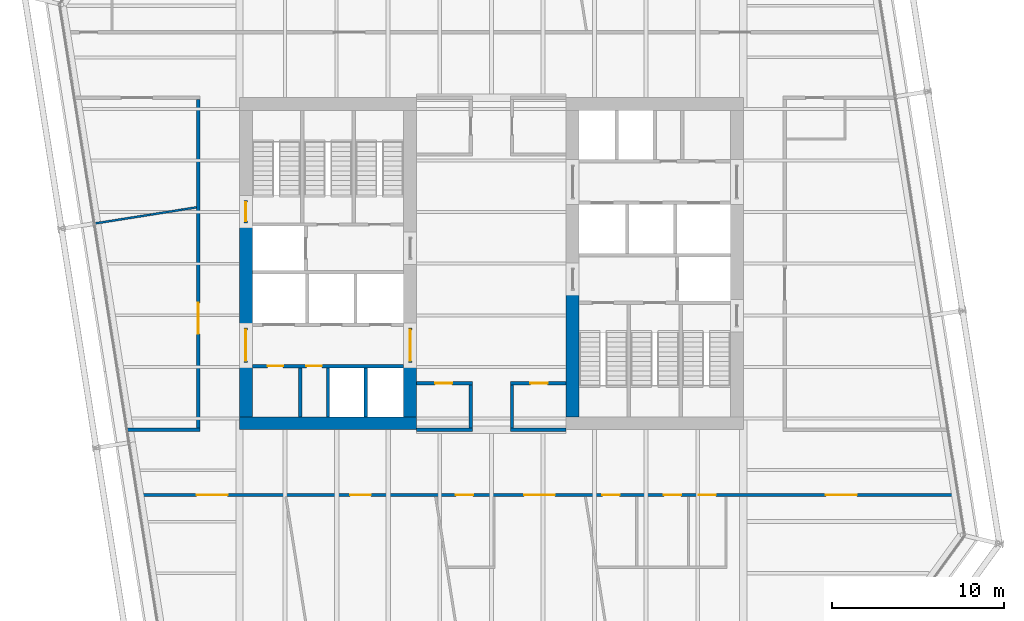
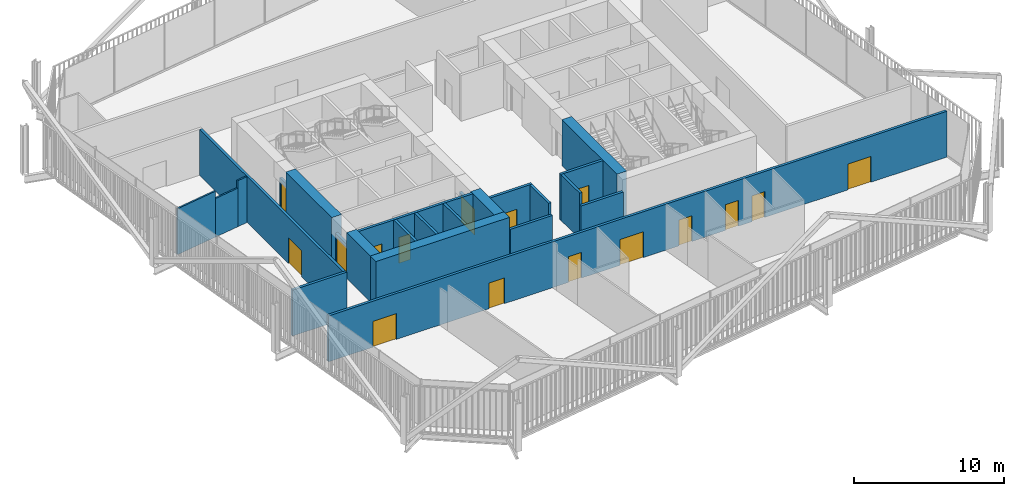
# One storey, part 18 of 22: 24 walls, 16 doors, 16 openings.
"""IFC4 building model written with IfcOpenShell, lengths in metres."""

import ifcopenshell
import ifcopenshell.guid

model = None  # the IFC model being written
_history = None  # IfcOwnerHistory: only IFC2X3 demands one
_inside = {}  # id of a spatial element -> (the spatial element, [elements in it])
_under = {}  # id of a project, library or spatial element -> (it, [spatial elements below it])
_declared = {}  # id of a project -> (the project, [libraries it declares])
_typed = {}  # id of a type object -> (the type object, [elements of that type])
_made_of = {}  # id of a material, layer set ... -> (it, [elements and type objects made of it])


def new_model(schema):
    """Start an empty IFC model of exactly this schema.

    Asked for "IFC4X3", IfcOpenShell would pick the latest addendum, in which some entities
    have other attributes; the version numbers below select the first issue.
    IFC2X3 requires an IfcOwnerHistory on every rooted entity: one is made here for all.
    """
    global model, _history
    if schema == "IFC4X3":
        model = ifcopenshell.file(schema_version=(4, 3, 0, 0))
    else:
        model = ifcopenshell.file(schema=schema)
    _inside.clear()
    _under.clear()
    _declared.clear()
    _typed.clear()
    _made_of.clear()
    _history = None
    if model.schema == "IFC2X3":
        org = make("IfcOrganization", Name="unknown")
        user = make(
            "IfcPersonAndOrganization",
            ThePerson=make("IfcPerson", FamilyName="unknown"),
            TheOrganization=org,
        )
        app = make(
            "IfcApplication",
            ApplicationDeveloper=org,
            Version="unknown",
            ApplicationFullName="unknown",
            ApplicationIdentifier="unknown",
        )
        _history = make(
            "IfcOwnerHistory",
            OwningUser=user,
            OwningApplication=app,
            ChangeAction="ADDED",
            CreationDate=0,
        )
    return model


def make(cls, **values):
    """One entity of the class cls with the attributes given. An attribute that is None is left unset."""
    return model.create_entity(
        cls, **{name: value for name, value in values.items() if value is not None}
    )


def rooted(cls, **values):
    """An entity with a GlobalId (a new one), such as an element, a storey or a relation."""
    return make(cls, GlobalId=ifcopenshell.guid.new(), OwnerHistory=_history, **values)


def si_unit(unit_type, name, prefix=None):
    """IfcSIUnit, for example si_unit("LENGTHUNIT", "METRE", prefix="MILLI")."""
    return make("IfcSIUnit", UnitType=unit_type, Prefix=prefix, Name=name)


def assignment(units):
    """IfcUnitAssignment: the units of a project."""
    return None if units is None else make("IfcUnitAssignment", Units=units)


def point(xyz):
    """IfcCartesianPoint."""
    return None if xyz is None else make("IfcCartesianPoint", Coordinates=xyz)


def direction(xyz):
    """IfcDirection."""
    return None if xyz is None else make("IfcDirection", DirectionRatios=xyz)


def frame(location, z_axis=None, x_axis=None):
    """IfcAxis2Placement3D, a coordinate frame: its origin and axes. An axis left out is left unset."""
    return make(
        "IfcAxis2Placement3D",
        Location=point(location),
        Axis=direction(z_axis),
        RefDirection=direction(x_axis),
    )


def frame_2d(location, x_axis=None):
    """IfcAxis2Placement2D, a coordinate frame in the plane: its origin and x axis."""
    return make(
        "IfcAxis2Placement2D", Location=point(location), RefDirection=direction(x_axis)
    )


def origin():
    """The frame at (0, 0, 0) with its axes left unset."""
    return frame((0.0, 0.0, 0.0))


def place(relative_to, where):
    """IfcLocalPlacement: puts the frame where relative to a parent placement (None: the world)."""
    return make(
        "IfcLocalPlacement", PlacementRelTo=relative_to, RelativePlacement=where
    )


def context(
    kind, dimensions, precision=None, world=None, true_north=None, identifier=None
):
    """IfcGeometricRepresentationContext, for example the 3D "Model" context."""
    return make(
        "IfcGeometricRepresentationContext",
        ContextIdentifier=identifier,
        ContextType=kind,
        CoordinateSpaceDimension=dimensions,
        Precision=precision,
        WorldCoordinateSystem=world,
        TrueNorth=true_north,
    )


def subcontext(parent, identifier, kind, view, scale=None):
    """IfcGeometricRepresentationSubContext, for example "Body" below "Model"."""
    return make(
        "IfcGeometricRepresentationSubContext",
        ContextIdentifier=identifier,
        ContextType=kind,
        ParentContext=parent,
        TargetScale=scale,
        TargetView=view,
    )


def project(units=None, contexts=None):
    """IfcProject with its units and contexts."""
    return rooted(
        "IfcProject",
        Name="project",
        RepresentationContexts=contexts,
        UnitsInContext=assignment(units),
    )


def spatial(cls, under=None, at=None, **own):
    """A site, building, storey or space (cls), placed at a placement, below another one or the project."""
    s = rooted(cls, ObjectPlacement=at, **own)
    if under is not None:
        _under.setdefault(under.id(), (under, []))[1].append(s)
    return s


def profile(cls, at=None, kind="AREA", **sizes):
    """A parametric profile (cls). Its sizes go by their IFC names, for example OverallWidth=200.0."""
    return make(cls, ProfileType=kind, Position=at, **sizes)


def rectangle(**sizes):
    """IfcRectangleProfileDef."""
    return profile("IfcRectangleProfileDef", **sizes)


def extrude(swept, where, along, depth):
    """IfcExtrudedAreaSolid: the profile swept, set in the frame where, extruded along a direction by depth."""
    return make(
        "IfcExtrudedAreaSolid",
        SweptArea=swept,
        Position=where,
        ExtrudedDirection=direction(along),
        Depth=depth,
    )


def shape(context_of_items, identifier, shape_type, items):
    """IfcShapeRepresentation: the items that make up one representation, for example the "Body"."""
    return make(
        "IfcShapeRepresentation",
        ContextOfItems=context_of_items,
        RepresentationIdentifier=identifier,
        RepresentationType=shape_type,
        Items=items,
    )


def material(Name=None, Category=None):
    """IfcMaterial."""
    return make("IfcMaterial", Name=Name, Category=Category)


def layer(
    of_material, thickness, ventilated=None, Name=None, Category=None, Priority=None
):
    """IfcMaterialLayer: one layer of a wall or slab, of a material (None: an air gap)."""
    return make(
        "IfcMaterialLayer",
        Material=of_material,
        LayerThickness=thickness,
        IsVentilated=ventilated,
        Name=Name,
        Category=Category,
        Priority=Priority,
    )


def layer_set(layers, Name=None):
    """IfcMaterialLayerSet."""
    return make("IfcMaterialLayerSet", MaterialLayers=layers, LayerSetName=Name)


def made_of(thing, what):
    """Note that an element or type object is made of a material, layer set ...; save() writes the relation."""
    if what is not None:
        _made_of.setdefault(what.id(), (what, []))[1].append(thing)
    return thing


def type_object(cls, material=None, **own):
    """A type object (cls), such as IfcWallType, which elements share."""
    return made_of(rooted(cls, **own), material)


def element(
    cls,
    number,
    at=None,
    inside=None,
    cuts=None,
    type_object=None,
    material=None,
    context=None,
    identifier="Body",
    shape_type=None,
    held_by="IfcProductDefinitionShape",
    body=None,
    shapes=None,
    **own,
):
    """One element of the class cls, such as IfcWall. Its Tag is "e" and its number.

    at: its placement. inside: the storey or other place that contains it. cuts: it is an
    opening in that element (IfcRelVoidsElement). A single representation is given by context,
    identifier, shape_type and body (its items); several are given by shapes. held_by: the class
    of the entity that holds the representations. save() writes the other relations.
    """
    e = rooted(cls, Tag="e%d" % number, ObjectPlacement=at, **own)
    if body is not None:
        shapes = [shape(context, identifier, shape_type, body)]
    if shapes is not None:
        e.Representation = make(held_by, Representations=shapes)
    if inside is not None:
        _inside.setdefault(inside.id(), (inside, []))[1].append(e)
    if cuts is not None:
        rooted(
            "IfcRelVoidsElement", RelatingBuildingElement=cuts, RelatedOpeningElement=e
        )
    if type_object is not None:
        _typed.setdefault(type_object.id(), (type_object, []))[1].append(e)
    return made_of(e, material)


def fill(opening, filler):
    """IfcRelFillsElement: the door or window that sits in an opening."""
    return rooted(
        "IfcRelFillsElement",
        RelatingOpeningElement=opening,
        RelatedBuildingElement=filler,
    )


def aggregate(whole, parts):
    """IfcRelAggregates: a whole, such as a stair, and the parts it consists of."""
    return rooted("IfcRelAggregates", RelatingObject=whole, RelatedObjects=parts)


def save(model, path):
    """Write the relations noted so far, then the file.

    IfcRelAggregates (storeys below a building ...), IfcRelContainedInSpatialStructure (elements
    in a storey), IfcRelDefinesByType, IfcRelAssociatesMaterial and IfcRelDeclares: one each for
    every whole, place, type object, material and project.
    """
    for whole, parts in _under.values():
        aggregate(whole, parts)
    for where, things in _inside.values():
        rooted(
            "IfcRelContainedInSpatialStructure",
            RelatedElements=things,
            RelatingStructure=where,
        )
    for kind, things in _typed.values():
        rooted("IfcRelDefinesByType", RelatedObjects=things, RelatingType=kind)
    for what, things in _made_of.values():
        rooted("IfcRelAssociatesMaterial", RelatedObjects=things, RelatingMaterial=what)
    for by, libraries in _declared.values():
        rooted("IfcRelDeclares", RelatingContext=by, RelatedDefinitions=libraries)
    model.write(path)


model = new_model("IFC4")

# Units and contexts
model_context = context("Model", 3, precision=1e-05, world=origin(), true_north=direction((0.0, 1.0)))
body_context = subcontext(model_context, "Body", "Model", "MODEL_VIEW")
ifc_project = project(units=[si_unit("LENGTHUNIT", "METRE"), si_unit("AREAUNIT", "SQUARE_METRE"), si_unit("VOLUMEUNIT", "CUBIC_METRE"), si_unit("PLANEANGLEUNIT", "RADIAN"), si_unit("MASSUNIT", "GRAM", prefix="KILO")], contexts=[model_context])

# Site, building, storey
site_placement = place(None, origin())
site = spatial("IfcSite", under=ifc_project, at=site_placement, CompositionType="ELEMENT")
building_placement = place(site_placement, origin())
building = spatial("IfcBuilding", under=site, at=building_placement, Name="Millrace Tower", CompositionType="ELEMENT")
storey_placement = place(building_placement, frame((0.0, 0.0, 145.10009765625)))
storey = spatial("IfcBuildingStorey", under=building, at=storey_placement, Name="L32", CompositionType="ELEMENT", Elevation=145.10009765625)

# Walls
ifc_material_1 = material(Name="Concrete C70", Category="concrete")
ifc_layer_1 = layer(ifc_material_1, 0.75)
ifc_layer_set_1 = layer_set([ifc_layer_1], Name="Concrete C70")
wall_type_1 = type_object("IfcWallType", Name="Core wall 750 Concrete C70", PredefinedType="SHEAR", material=ifc_layer_set_1)
wall_1_placement = place(storey_placement, frame((-14.64990234375, -9.27490234375, 0.0), z_axis=(0.0, 0.0, 1.0), x_axis=(1.0, 0.0, 0.0)))
element("IfcWall", 1, at=wall_1_placement, inside=storey, type_object=wall_type_1, Name="Core wall W L32", PredefinedType="SHEAR", context=body_context, shape_type="SweptSolid", body=[
    extrude(rectangle(XDim=10.2998046875, YDim=0.75, at=frame_2d((5.14990234375, 0.0))), origin(), (0.0, 0.0, 1.0), 3.739990234375),
])
wall_2_placement = place(storey_placement, frame((-14.27490234375, -8.89990234375, 0.0), z_axis=(0.0, 0.0, 1.0), x_axis=(0.0, 1.0, 0.0)))
element("IfcWall", 2, at=wall_2_placement, inside=storey, type_object=wall_type_1, Name="Core wall W L32", PredefinedType="SHEAR", context=body_context, shape_type="SweptSolid", body=[
    extrude(rectangle(XDim=3.14990234375, YDim=0.75, at=frame_2d((1.574951171875, 0.0))), origin(), (0.0, 0.0, 1.0), 3.739990234375),
])
wall_3_placement = place(storey_placement, frame((-14.27490234375, -3.75, 0.0), z_axis=(0.0, 0.0, 1.0), x_axis=(0.0, 1.0, 0.0)))
element("IfcWall", 3, at=wall_3_placement, inside=storey, type_object=wall_type_1, Name="Core wall W L32", PredefinedType="SHEAR", context=body_context, shape_type="SweptSolid", body=[
    extrude(rectangle(XDim=6.1298828125, YDim=0.75, at=frame_2d((3.06494140625, 0.0))), origin(), (0.0, 0.0, 1.0), 3.739990234375),
])
wall_4_placement = place(storey_placement, frame((-4.72509765625, -8.89990234375, 0.0), z_axis=(0.0, 0.0, 1.0), x_axis=(0.0, 1.0, 0.0)))
element("IfcWall", 4, at=wall_4_placement, inside=storey, type_object=wall_type_1, Name="Core wall W L32", PredefinedType="SHEAR", context=body_context, shape_type="SweptSolid", body=[
    extrude(rectangle(XDim=3.14990234375, YDim=0.75, at=frame_2d((1.574951171875, 0.0))), origin(), (0.0, 0.0, 1.0), 3.739990234375),
])
wall_5_placement = place(storey_placement, frame((4.72509765625, -1.550048828125, 0.0), z_axis=(0.0, 0.0, 1.0), x_axis=(0.0, -1.0, 0.0)))
element("IfcWall", 5, at=wall_5_placement, inside=storey, type_object=wall_type_1, Name="Core wall E L32", PredefinedType="SHEAR", context=body_context, shape_type="SweptSolid", body=[
    extrude(rectangle(XDim=7.349853515625, YDim=0.75, at=frame_2d((3.6748046875, 0.0))), origin(), (0.0, 0.0, 1.0), 3.739990234375),
])

# Wall, openings, doors
ifc_material_2 = material(Name="Masonry partition, fire-rated", Category="masonry")
ifc_layer_2 = layer(ifc_material_2, 0.199951171875)
ifc_layer_set_2 = layer_set([ifc_layer_2], Name="Masonry partition, fire-rated")
wall_type_2 = type_object("IfcWallType", Name="Corridor wall 200", PredefinedType="PARTITIONING", material=ifc_layer_set_2)
wall_6_placement = place(storey_placement, frame((-20.548583984375, -13.449951171875, 0.0), z_axis=(0.0, 0.0, 1.0), x_axis=(1.0, 0.0, 0.0)))
wall_6 = element("IfcWall", 6, at=wall_6_placement, inside=storey, type_object=wall_type_2, Name="Corridor wall L32", PredefinedType="PARTITIONING", context=body_context, shape_type="SweptSolid", body=[
    extrude(rectangle(XDim=47.646728515625, YDim=0.199951171875, at=frame_2d((23.8232421875, 0.0))), origin(), (0.0, 0.0, 1.0), 3.739990234375),
])
opening_1_placement = place(wall_6_placement, frame((3.41796875, 0.0, 0.0)))
opening_1 = element("IfcOpeningElement", 7, at=opening_1_placement, cuts=wall_6, Name="Opening 32-P010", PredefinedType="OPENING", context=body_context, shape_type="SweptSolid", body=[
    extrude(rectangle(XDim=1.800048828125, YDim=2.10009765625, at=frame_2d((0.89990234375, 1.050048828125))), frame((0.0, 0.10986328125, 0.0), z_axis=(0.0, -1.0, 0.0), x_axis=(1.0, 0.0, 0.0)), (0.0, 0.0, 1.0), 0.219970703125),
])
opening_2_placement = place(wall_6_placement, frame((12.3388671875, 0.0, 0.0)))
opening_2 = element("IfcOpeningElement", 8, at=opening_2_placement, cuts=wall_6, Name="Opening 32-P011", PredefinedType="OPENING", context=body_context, shape_type="SweptSolid", body=[
    extrude(rectangle(XDim=1.199951171875, YDim=2.10009765625, at=frame_2d((0.60009765625, 1.050048828125))), frame((0.0, 0.10986328125, 0.0), z_axis=(0.0, -1.0, 0.0), x_axis=(1.0, 0.0, 0.0)), (0.0, 0.0, 1.0), 0.219970703125),
])
opening_3_placement = place(wall_6_placement, frame((22.446533203125, 0.0, 0.0)))
opening_3 = element("IfcOpeningElement", 9, at=opening_3_placement, cuts=wall_6, Name="Opening 32-P012", PredefinedType="OPENING", context=body_context, shape_type="SweptSolid", body=[
    extrude(rectangle(XDim=1.800048828125, YDim=2.10009765625, at=frame_2d((0.89990234375, 1.050048828125))), frame((0.0, 0.10986328125, 0.0), z_axis=(0.0, -1.0, 0.0), x_axis=(1.0, 0.0, 0.0)), (0.0, 0.0, 1.0), 0.219970703125),
])
opening_4_placement = place(wall_6_placement, frame((18.492431640625, 0.0, 0.0)))
opening_4 = element("IfcOpeningElement", 10, at=opening_4_placement, cuts=wall_6, Name="Opening 32-P013", PredefinedType="OPENING", context=body_context, shape_type="SweptSolid", body=[
    extrude(rectangle(XDim=1.0, YDim=2.10009765625, at=frame_2d((0.5, 1.050048828125))), frame((0.0, 0.10986328125, 0.0), z_axis=(0.0, -1.0, 0.0), x_axis=(1.0, 0.0, 0.0)), (0.0, 0.0, 1.0), 0.219970703125),
])
opening_5_placement = place(wall_6_placement, frame((39.99853515625, 0.0, 0.0)))
opening_5 = element("IfcOpeningElement", 11, at=opening_5_placement, cuts=wall_6, Name="Opening 32-P014", PredefinedType="OPENING", context=body_context, shape_type="SweptSolid", body=[
    extrude(rectangle(XDim=1.800048828125, YDim=2.10009765625, at=frame_2d((0.89990234375, 1.050048828125))), frame((0.0, 0.10986328125, 0.0), z_axis=(0.0, -1.0, 0.0), x_axis=(1.0, 0.0, 0.0)), (0.0, 0.0, 1.0), 0.219970703125),
])
opening_6_placement = place(wall_6_placement, frame((27.00048828125, 0.0, 0.0)))
opening_6 = element("IfcOpeningElement", 12, at=opening_6_placement, cuts=wall_6, Name="Opening 32-P015", PredefinedType="OPENING", context=body_context, shape_type="SweptSolid", body=[
    extrude(rectangle(XDim=1.0, YDim=2.10009765625, at=frame_2d((0.5, 1.050048828125))), frame((0.0, 0.10986328125, 0.0), z_axis=(0.0, -1.0, 0.0), x_axis=(1.0, 0.0, 0.0)), (0.0, 0.0, 1.0), 0.219970703125),
])
opening_7_placement = place(wall_6_placement, frame((30.577392578125, 0.0, 0.0)))
opening_7 = element("IfcOpeningElement", 13, at=opening_7_placement, cuts=wall_6, Name="Opening 32-P016", PredefinedType="OPENING", context=body_context, shape_type="SweptSolid", body=[
    extrude(rectangle(XDim=1.0, YDim=2.10009765625, at=frame_2d((0.5, 1.050048828125))), frame((0.0, 0.10986328125, 0.0), z_axis=(0.0, -1.0, 0.0), x_axis=(1.0, 0.0, 0.0)), (0.0, 0.0, 1.0), 0.219970703125),
])
opening_8_placement = place(wall_6_placement, frame((32.6005859375, 0.0, 0.0)))
opening_8 = element("IfcOpeningElement", 14, at=opening_8_placement, cuts=wall_6, Name="Opening 32-P017", PredefinedType="OPENING", context=body_context, shape_type="SweptSolid", body=[
    extrude(rectangle(XDim=1.0, YDim=2.10009765625, at=frame_2d((0.5, 1.050048828125))), frame((0.0, 0.10986328125, 0.0), z_axis=(0.0, -1.0, 0.0), x_axis=(1.0, 0.0, 0.0)), (0.0, 0.0, 1.0), 0.219970703125),
])
ifc_material_3 = material(Name="Steel door set, fire-rated", Category="steel")
door_type_1 = type_object("IfcDoorType", Name="Corridor door 1000 x 2100", OperationType="SINGLE_SWING_LEFT", PredefinedType="DOOR", material=ifc_material_3)
door_1_placement = place(opening_4_placement, frame((1.0, 0.0, 0.0), z_axis=(0.0, 0.0, 1.0), x_axis=(-1.0, 0.0, 0.0)))
door_1 = element("IfcDoor", 15, at=door_1_placement, inside=storey, type_object=door_type_1, Name="Door 32-P013", OperationType="SINGLE_SWING_RIGHT", OverallHeight=2.10009765625, OverallWidth=1.0, PredefinedType="DOOR", context=body_context, shape_type="SweptSolid", body=[
    extrude(rectangle(XDim=1.0, YDim=2.10009765625, at=frame_2d((0.5, 1.050048828125))), frame((0.0, 0.02490234375, 0.0), z_axis=(0.0, -1.0, 0.0), x_axis=(1.0, 0.0, 0.0)), (0.0, 0.0, 1.0), 0.050048828125),
])
fill(opening_4, door_1)
door_2_placement = place(opening_6_placement, frame((1.0, 0.0, 0.0), z_axis=(0.0, 0.0, 1.0), x_axis=(-1.0, 0.0, 0.0)))
door_2 = element("IfcDoor", 16, at=door_2_placement, inside=storey, type_object=door_type_1, Name="Door 32-P015", OperationType="SINGLE_SWING_LEFT", OverallHeight=2.10009765625, OverallWidth=1.0, PredefinedType="DOOR", context=body_context, shape_type="SweptSolid", body=[
    extrude(rectangle(XDim=1.0, YDim=2.10009765625, at=frame_2d((0.5, 1.050048828125))), frame((0.0, 0.02490234375, 0.0), z_axis=(0.0, -1.0, 0.0), x_axis=(1.0, 0.0, 0.0)), (0.0, 0.0, 1.0), 0.050048828125),
])
fill(opening_6, door_2)
door_3_placement = place(opening_7_placement, frame((1.0, 0.0, 0.0), z_axis=(0.0, 0.0, 1.0), x_axis=(-1.0, 0.0, 0.0)))
door_3 = element("IfcDoor", 17, at=door_3_placement, inside=storey, type_object=door_type_1, Name="Door 32-P016", OperationType="SINGLE_SWING_LEFT", OverallHeight=2.10009765625, OverallWidth=1.0, PredefinedType="DOOR", context=body_context, shape_type="SweptSolid", body=[
    extrude(rectangle(XDim=1.0, YDim=2.10009765625, at=frame_2d((0.5, 1.050048828125))), frame((0.0, 0.02490234375, 0.0), z_axis=(0.0, -1.0, 0.0), x_axis=(1.0, 0.0, 0.0)), (0.0, 0.0, 1.0), 0.050048828125),
])
fill(opening_7, door_3)
door_4_placement = place(opening_8_placement, frame((1.0, 0.0, 0.0), z_axis=(0.0, 0.0, 1.0), x_axis=(-1.0, 0.0, 0.0)))
door_4 = element("IfcDoor", 18, at=door_4_placement, inside=storey, type_object=door_type_1, Name="Door 32-P017", OperationType="SINGLE_SWING_LEFT", OverallHeight=2.10009765625, OverallWidth=1.0, PredefinedType="DOOR", context=body_context, shape_type="SweptSolid", body=[
    extrude(rectangle(XDim=1.0, YDim=2.10009765625, at=frame_2d((0.5, 1.050048828125))), frame((0.0, 0.02490234375, 0.0), z_axis=(0.0, -1.0, 0.0), x_axis=(1.0, 0.0, 0.0)), (0.0, 0.0, 1.0), 0.050048828125),
])
fill(opening_8, door_4)
ifc_material_4 = material(Name="Steel door set, fire-rated", Category="steel")
door_type_2 = type_object("IfcDoorType", Name="Corridor door 1200 x 2100", OperationType="SINGLE_SWING_LEFT", PredefinedType="DOOR", material=ifc_material_4)
door_5_placement = place(opening_2_placement, frame((1.199951171875, 0.0, 0.0), z_axis=(0.0, 0.0, 1.0), x_axis=(-1.0, 0.0, 0.0)))
door_5 = element("IfcDoor", 19, at=door_5_placement, inside=storey, type_object=door_type_2, Name="Door 32-P011", OperationType="SINGLE_SWING_RIGHT", OverallHeight=2.10009765625, OverallWidth=1.199951171875, PredefinedType="DOOR", context=body_context, shape_type="SweptSolid", body=[
    extrude(rectangle(XDim=1.199951171875, YDim=2.10009765625, at=frame_2d((0.60009765625, 1.050048828125))), frame((0.0, 0.02490234375, 0.0), z_axis=(0.0, -1.0, 0.0), x_axis=(1.0, 0.0, 0.0)), (0.0, 0.0, 1.0), 0.050048828125),
])
fill(opening_2, door_5)
ifc_material_5 = material(Name="Steel door set, fire-rated", Category="steel")
door_type_3 = type_object("IfcDoorType", Name="Corridor door 1800 x 2100", OperationType="DOUBLE_DOOR_SINGLE_SWING", PredefinedType="DOOR", material=ifc_material_5)
door_6_placement = place(opening_1_placement, frame((1.800048828125, 0.0, 0.0), z_axis=(0.0, 0.0, 1.0), x_axis=(-1.0, 0.0, 0.0)))
door_6 = element("IfcDoor", 20, at=door_6_placement, inside=storey, type_object=door_type_3, Name="Door 32-P010", OperationType="DOUBLE_DOOR_SINGLE_SWING", OverallHeight=2.10009765625, OverallWidth=1.800048828125, PredefinedType="DOOR", context=body_context, shape_type="SweptSolid", body=[
    extrude(rectangle(XDim=1.800048828125, YDim=2.10009765625, at=frame_2d((0.89990234375, 1.050048828125))), frame((0.0, 0.02490234375, 0.0), z_axis=(0.0, -1.0, 0.0), x_axis=(1.0, 0.0, 0.0)), (0.0, 0.0, 1.0), 0.050048828125),
])
fill(opening_1, door_6)
door_7_placement = place(opening_3_placement, frame((1.800048828125, 0.0, 0.0), z_axis=(0.0, 0.0, 1.0), x_axis=(-1.0, 0.0, 0.0)))
door_7 = element("IfcDoor", 21, at=door_7_placement, inside=storey, type_object=door_type_3, Name="Door 32-P012", OperationType="DOUBLE_DOOR_SINGLE_SWING", OverallHeight=2.10009765625, OverallWidth=1.800048828125, PredefinedType="DOOR", context=body_context, shape_type="SweptSolid", body=[
    extrude(rectangle(XDim=1.800048828125, YDim=2.10009765625, at=frame_2d((0.89990234375, 1.050048828125))), frame((0.0, 0.02490234375, 0.0), z_axis=(0.0, -1.0, 0.0), x_axis=(1.0, 0.0, 0.0)), (0.0, 0.0, 1.0), 0.050048828125),
])
fill(opening_3, door_7)
door_8_placement = place(opening_5_placement, frame((1.800048828125, 0.0, 0.0), z_axis=(0.0, 0.0, 1.0), x_axis=(-1.0, 0.0, 0.0)))
door_8 = element("IfcDoor", 22, at=door_8_placement, inside=storey, type_object=door_type_3, Name="Door 32-P014", OperationType="DOUBLE_DOOR_SINGLE_SWING", OverallHeight=2.10009765625, OverallWidth=1.800048828125, PredefinedType="DOOR", context=body_context, shape_type="SweptSolid", body=[
    extrude(rectangle(XDim=1.800048828125, YDim=2.10009765625, at=frame_2d((0.89990234375, 1.050048828125))), frame((0.0, 0.02490234375, 0.0), z_axis=(0.0, -1.0, 0.0), x_axis=(1.0, 0.0, 0.0)), (0.0, 0.0, 1.0), 0.050048828125),
])
fill(opening_5, door_8)

# Walls
wall_7_placement = place(storey_placement, frame((-21.150390625, -9.64990234375, 0.0), z_axis=(0.0, 0.0, 1.0), x_axis=(1.0, 0.0, 0.0)))
element("IfcWall", 23, at=wall_7_placement, inside=storey, type_object=wall_type_2, Name="Corridor wall L32", PredefinedType="PARTITIONING", context=body_context, shape_type="SweptSolid", body=[
    extrude(rectangle(XDim=4.200439453125, YDim=0.199951171875, at=frame_2d((2.10009765625, 0.0))), origin(), (0.0, 0.0, 1.0), 3.739990234375),
])
for number, where, z_axis, x_axis, name in (
    (24, (-4.35009765625, -9.64990234375, 0.0), (0.0, 0.0, 1.0), (1.0, 0.0, 0.0), "Corridor wall L32"),
    (25, (1.10009765625, -9.64990234375, 0.0), (0.0, 0.0, 1.0), (1.0, 0.0, 0.0), "Corridor wall L32"),
):
    element("IfcWall", number, at=place(storey_placement, frame(where, z_axis=z_axis, x_axis=x_axis)), inside=storey, type_object=wall_type_2, Name=name, PredefinedType="PARTITIONING", context=body_context, shape_type="SweptSolid", body=[
        extrude(rectangle(XDim=3.25, YDim=0.199951171875, at=frame_2d((1.625, 0.0))), origin(), (0.0, 0.0, 1.0), 2.812744140625),
    ])

# Wall, opening, door
wall_8_placement = place(storey_placement, frame((-4.35009765625, -6.949951171875, 0.0), z_axis=(0.0, 0.0, 1.0), x_axis=(1.0, 0.0, 0.0)))
wall_8 = element("IfcWall", 26, at=wall_8_placement, inside=storey, type_object=wall_type_2, Name="Corridor wall L32", PredefinedType="PARTITIONING", context=body_context, shape_type="SweptSolid", body=[
    extrude(rectangle(XDim=3.25, YDim=0.199951171875, at=frame_2d((1.625, 0.0))), origin(), (0.0, 0.0, 1.0), 3.739990234375),
])
opening_9_placement = place(wall_8_placement, frame((1.074951171875, 0.0, 0.0)))
opening_9 = element("IfcOpeningElement", 27, at=opening_9_placement, cuts=wall_8, Name="Opening 32-P003", PredefinedType="OPENING", context=body_context, shape_type="SweptSolid", body=[
    extrude(rectangle(XDim=1.0, YDim=2.10009765625, at=frame_2d((0.5, 1.050048828125))), frame((0.0, 0.10986328125, 0.0), z_axis=(0.0, -1.0, 0.0), x_axis=(1.0, 0.0, 0.0)), (0.0, 0.0, 1.0), 0.219970703125),
])
door_9_placement = place(opening_9_placement, frame((1.0, 0.0, 0.0), z_axis=(0.0, 0.0, 1.0), x_axis=(-1.0, 0.0, 0.0)))
door_9 = element("IfcDoor", 28, at=door_9_placement, inside=storey, type_object=door_type_1, Name="Door 32-P003", OperationType="SINGLE_SWING_RIGHT", OverallHeight=2.10009765625, OverallWidth=1.0, PredefinedType="DOOR", context=body_context, shape_type="SweptSolid", body=[
    extrude(rectangle(XDim=1.0, YDim=2.10009765625, at=frame_2d((0.5, 1.050048828125))), frame((0.0, 0.02490234375, 0.0), z_axis=(0.0, -1.0, 0.0), x_axis=(1.0, 0.0, 0.0)), (0.0, 0.0, 1.0), 0.050048828125),
])
fill(opening_9, door_9)

wall_9_placement = place(storey_placement, frame((1.10009765625, -6.949951171875, 0.0), z_axis=(0.0, 0.0, 1.0), x_axis=(1.0, 0.0, 0.0)))
wall_9 = element("IfcWall", 29, at=wall_9_placement, inside=storey, type_object=wall_type_2, Name="Corridor wall L32", PredefinedType="PARTITIONING", context=body_context, shape_type="SweptSolid", body=[
    extrude(rectangle(XDim=3.25, YDim=0.199951171875, at=frame_2d((1.625, 0.0))), origin(), (0.0, 0.0, 1.0), 3.739990234375),
])
opening_10_placement = place(wall_9_placement, frame((1.175048828125, 0.0, 0.0)))
opening_10 = element("IfcOpeningElement", 30, at=opening_10_placement, cuts=wall_9, Name="Opening 32-P004", PredefinedType="OPENING", context=body_context, shape_type="SweptSolid", body=[
    extrude(rectangle(XDim=1.0, YDim=2.10009765625, at=frame_2d((0.5, 1.050048828125))), frame((0.0, 0.10986328125, 0.0), z_axis=(0.0, -1.0, 0.0), x_axis=(1.0, 0.0, 0.0)), (0.0, 0.0, 1.0), 0.219970703125),
])
door_10_placement = place(opening_10_placement, frame((1.0, 0.0, 0.0), z_axis=(0.0, 0.0, 1.0), x_axis=(-1.0, 0.0, 0.0)))
door_10 = element("IfcDoor", 31, at=door_10_placement, inside=storey, type_object=door_type_1, Name="Door 32-P004", OperationType="SINGLE_SWING_RIGHT", OverallHeight=2.10009765625, OverallWidth=1.0, PredefinedType="DOOR", context=body_context, shape_type="SweptSolid", body=[
    extrude(rectangle(XDim=1.0, YDim=2.10009765625, at=frame_2d((0.5, 1.050048828125))), frame((0.0, 0.02490234375, 0.0), z_axis=(0.0, -1.0, 0.0), x_axis=(1.0, 0.0, 0.0)), (0.0, 0.0, 1.0), 0.050048828125),
])
fill(opening_10, door_10)

# Walls
for number, where, z_axis, x_axis, name in (
    (32, (1.199951171875, -9.550048828125, 0.0), (0.0, 0.0, 1.0), (0.0, 1.0, 0.0), "Corridor wall L32"),
    (33, (-1.199951171875, -9.550048828125, 0.0), (0.0, 0.0, 1.0), (0.0, 1.0, 0.0), "Corridor wall L32"),
):
    element("IfcWall", number, at=place(storey_placement, frame(where, z_axis=z_axis, x_axis=x_axis)), inside=storey, type_object=wall_type_2, Name=name, PredefinedType="PARTITIONING", context=body_context, shape_type="SweptSolid", body=[
        extrude(rectangle(XDim=2.5, YDim=0.199951171875, at=frame_2d((1.25, 0.0))), origin(), (0.0, 0.0, 1.0), 3.739990234375),
    ])

# Wall, opening, door
wall_10_placement = place(storey_placement, frame((-17.050048828125, -9.550048828125, 0.0), z_axis=(0.0, 0.0, 1.0), x_axis=(0.0, 1.0, 0.0)))
wall_10 = element("IfcWall", 34, at=wall_10_placement, inside=storey, type_object=wall_type_2, Name="Corridor wall L32", PredefinedType="PARTITIONING", context=body_context, shape_type="SweptSolid", body=[
    extrude(rectangle(XDim=19.10009765625, YDim=0.199951171875, at=frame_2d((9.550048828125, 0.0))), origin(), (0.0, 0.0, 1.0), 3.739990234375),
])
opening_11_placement = place(wall_10_placement, frame((5.469970703125, 0.0, 0.0)))
opening_11 = element("IfcOpeningElement", 35, at=opening_11_placement, cuts=wall_10, Name="Opening 32-P018", PredefinedType="OPENING", context=body_context, shape_type="SweptSolid", body=[
    extrude(rectangle(XDim=1.800048828125, YDim=2.10009765625, at=frame_2d((0.89990234375, 1.050048828125))), frame((0.0, 0.10986328125, 0.0), z_axis=(0.0, -1.0, 0.0), x_axis=(1.0, 0.0, 0.0)), (0.0, 0.0, 1.0), 0.219970703125),
])
door_11_placement = place(opening_11_placement, origin())
door_11 = element("IfcDoor", 36, at=door_11_placement, inside=storey, type_object=door_type_3, Name="Door 32-P018", OperationType="DOUBLE_DOOR_SINGLE_SWING", OverallHeight=2.10009765625, OverallWidth=1.800048828125, PredefinedType="DOOR", context=body_context, shape_type="SweptSolid", body=[
    extrude(rectangle(XDim=1.800048828125, YDim=2.10009765625, at=frame_2d((0.89990234375, 1.050048828125))), frame((0.0, 0.02490234375, 0.0), z_axis=(0.0, -1.0, 0.0), x_axis=(1.0, 0.0, 0.0)), (0.0, 0.0, 1.0), 0.050048828125),
])
fill(opening_11, door_11)

# Wall, openings, doors
ifc_material_6 = material(Name="Masonry partition, fire-rated", Category="masonry")
ifc_layer_3 = layer(ifc_material_6, 0.199951171875)
ifc_layer_set_3 = layer_set([ifc_layer_3], Name="Masonry partition, fire-rated")
wall_type_3 = type_object("IfcWallType", Name="Lift shaft wall 200", PredefinedType="PARTITIONING", material=ifc_layer_set_3)
wall_11_placement = place(storey_placement, frame((-13.89990234375, -5.949951171875, 0.0), z_axis=(0.0, 0.0, 1.0), x_axis=(1.0, 0.0, 0.0)))
wall_11 = element("IfcWall", 37, at=wall_11_placement, inside=storey, type_object=wall_type_3, Name="Lift shaft wall W L32", PredefinedType="PARTITIONING", context=body_context, shape_type="SweptSolid", body=[
    extrude(rectangle(XDim=8.7998046875, YDim=0.199951171875, at=frame_2d((4.39990234375, 0.0))), origin(), (0.0, 0.0, 1.0), 3.739990234375),
])
opening_12_placement = place(wall_11_placement, frame((0.8974609375, 0.0, 0.0)))
opening_12 = element("IfcOpeningElement", 38, at=opening_12_placement, cuts=wall_11, Name="Opening 32-C005", PredefinedType="OPENING", context=body_context, shape_type="SweptSolid", body=[
    extrude(rectangle(XDim=0.89990234375, YDim=2.10009765625, at=frame_2d((0.449951171875, 1.050048828125))), frame((0.0, 0.10986328125, 0.0), z_axis=(0.0, -1.0, 0.0), x_axis=(1.0, 0.0, 0.0)), (0.0, 0.0, 1.0), 0.219970703125),
])
opening_13_placement = place(wall_11_placement, frame((3.1474609375, 0.0, 0.0)))
opening_13 = element("IfcOpeningElement", 39, at=opening_13_placement, cuts=wall_11, Name="Opening 32-C006", PredefinedType="OPENING", context=body_context, shape_type="SweptSolid", body=[
    extrude(rectangle(XDim=0.89990234375, YDim=2.10009765625, at=frame_2d((0.449951171875, 1.050048828125))), frame((0.0, 0.10986328125, 0.0), z_axis=(0.0, -1.0, 0.0), x_axis=(1.0, 0.0, 0.0)), (0.0, 0.0, 1.0), 0.219970703125),
])
ifc_material_7 = material(Name="Steel door, fire-rated", Category="steel")
door_type_4 = type_object("IfcDoorType", Name="Service room door 900 x 2100", OperationType="SINGLE_SWING_LEFT", PredefinedType="DOOR", material=ifc_material_7)
door_12_placement = place(opening_12_placement, frame((0.89990234375, 0.0, 0.0), z_axis=(0.0, 0.0, 1.0), x_axis=(-1.0, 0.0, 0.0)))
door_12 = element("IfcDoor", 40, at=door_12_placement, inside=storey, type_object=door_type_4, Name="Service room door 32-C005", OperationType="SINGLE_SWING_RIGHT", OverallHeight=2.10009765625, OverallWidth=0.89990234375, PredefinedType="DOOR", context=body_context, shape_type="SweptSolid", body=[
    extrude(rectangle(XDim=0.89990234375, YDim=2.10009765625, at=frame_2d((0.449951171875, 1.050048828125))), frame((0.0, 0.02490234375, 0.0), z_axis=(0.0, -1.0, 0.0), x_axis=(1.0, 0.0, 0.0)), (0.0, 0.0, 1.0), 0.050048828125),
])
fill(opening_12, door_12)
door_13_placement = place(opening_13_placement, frame((0.89990234375, 0.0, 0.0), z_axis=(0.0, 0.0, 1.0), x_axis=(-1.0, 0.0, 0.0)))
door_13 = element("IfcDoor", 41, at=door_13_placement, inside=storey, type_object=door_type_4, Name="Service room door 32-C006", OperationType="SINGLE_SWING_RIGHT", OverallHeight=2.10009765625, OverallWidth=0.89990234375, PredefinedType="DOOR", context=body_context, shape_type="SweptSolid", body=[
    extrude(rectangle(XDim=0.89990234375, YDim=2.10009765625, at=frame_2d((0.449951171875, 1.050048828125))), frame((0.0, 0.02490234375, 0.0), z_axis=(0.0, -1.0, 0.0), x_axis=(1.0, 0.0, 0.0)), (0.0, 0.0, 1.0), 0.050048828125),
])
fill(opening_13, door_13)

# Walls
for number, where, z_axis, x_axis, name in (
    (42, (-9.5, -8.89990234375, 0.0), (0.0, 0.0, 1.0), (0.0, 1.0, 0.0), "Lift shaft wall W L32"),
    (43, (-7.300048828125, -8.89990234375, 0.0), (0.0, 0.0, 1.0), (0.0, 1.0, 0.0), "Lift shaft wall W L32"),
):
    element("IfcWall", number, at=place(storey_placement, frame(where, z_axis=z_axis, x_axis=x_axis)), inside=storey, type_object=wall_type_3, Name=name, PredefinedType="PARTITIONING", context=body_context, shape_type="SweptSolid", body=[
        extrude(rectangle(XDim=2.849853515625, YDim=0.199951171875, at=frame_2d((1.4248046875, 0.0))), origin(), (0.0, 0.0, 1.0), 3.739990234375),
    ])

# Wall, opening, door
ifc_material_8 = material(Name="Masonry partition, fire-rated", Category="masonry")
ifc_layer_4 = layer(ifc_material_8, 0.199951171875)
ifc_layer_set_4 = layer_set([ifc_layer_4], Name="Masonry partition, fire-rated")
wall_type_4 = type_object("IfcWallType", Name="Lobby wall 200", PredefinedType="PARTITIONING", material=ifc_layer_set_4)
wall_12_placement = place(storey_placement, frame((-14.27490234375, -5.75, 0.0), z_axis=(0.0, 0.0, 1.0), x_axis=(0.0, 1.0, 0.0)))
wall_12 = element("IfcWall", 44, at=wall_12_placement, inside=storey, type_object=wall_type_4, Name="Lobby wall W L32", PredefinedType="PARTITIONING", context=body_context, shape_type="SweptSolid", body=[
    extrude(rectangle(XDim=2.0, YDim=0.199951171875, at=frame_2d((1.0, 0.0))), origin(), (0.0, 0.0, 1.0), 2.39990234375),
])
opening_14_placement = place(wall_12_placement, frame((0.10009765625, 0.0, 0.0)))
opening_14 = element("IfcOpeningElement", 45, at=opening_14_placement, cuts=wall_12, Name="Opening 32-C001", PredefinedType="OPENING", context=body_context, shape_type="SweptSolid", body=[
    extrude(rectangle(XDim=1.800048828125, YDim=2.10009765625, at=frame_2d((0.89990234375, 1.050048828125))), frame((0.0, 0.10986328125, 0.0), z_axis=(0.0, -1.0, 0.0), x_axis=(1.0, 0.0, 0.0)), (0.0, 0.0, 1.0), 0.219970703125),
])
ifc_material_9 = material(Name="Steel door, fire-rated", Category="steel")
door_type_5 = type_object("IfcDoorType", Name="Lobby door 1800 x 2100", OperationType="DOUBLE_DOOR_SINGLE_SWING", PredefinedType="DOOR", material=ifc_material_9)
door_14_placement = place(opening_14_placement, origin())
door_14 = element("IfcDoor", 46, at=door_14_placement, inside=storey, type_object=door_type_5, Name="Lobby door 32-C001", OperationType="DOUBLE_DOOR_SINGLE_SWING", OverallHeight=2.10009765625, OverallWidth=1.800048828125, PredefinedType="DOOR", context=body_context, shape_type="SweptSolid", body=[
    extrude(rectangle(XDim=1.800048828125, YDim=2.10009765625, at=frame_2d((0.89990234375, 1.050048828125))), frame((0.0, 0.02490234375, 0.0), z_axis=(0.0, -1.0, 0.0), x_axis=(1.0, 0.0, 0.0)), (0.0, 0.0, 1.0), 0.050048828125),
])
fill(opening_14, door_14)

wall_13_placement = place(storey_placement, frame((-4.72509765625, -5.75, 0.0), z_axis=(0.0, 0.0, 1.0), x_axis=(0.0, 1.0, 0.0)))
wall_13 = element("IfcWall", 47, at=wall_13_placement, inside=storey, type_object=wall_type_4, Name="Lobby wall W L32", PredefinedType="PARTITIONING", context=body_context, shape_type="SweptSolid", body=[
    extrude(rectangle(XDim=2.0, YDim=0.199951171875, at=frame_2d((1.0, 0.0))), origin(), (0.0, 0.0, 1.0), 2.39990234375),
])
opening_15_placement = place(wall_13_placement, frame((0.10009765625, 0.0, 0.0)))
opening_15 = element("IfcOpeningElement", 48, at=opening_15_placement, cuts=wall_13, Name="Opening 32-C003", PredefinedType="OPENING", context=body_context, shape_type="SweptSolid", body=[
    extrude(rectangle(XDim=1.800048828125, YDim=2.10009765625, at=frame_2d((0.89990234375, 1.050048828125))), frame((0.0, 0.10986328125, 0.0), z_axis=(0.0, -1.0, 0.0), x_axis=(1.0, 0.0, 0.0)), (0.0, 0.0, 1.0), 0.219970703125),
])
door_15_placement = place(opening_15_placement, origin())
door_15 = element("IfcDoor", 49, at=door_15_placement, inside=storey, type_object=door_type_5, Name="Lobby door 32-C003", OperationType="DOUBLE_DOOR_SINGLE_SWING", OverallHeight=2.10009765625, OverallWidth=1.800048828125, PredefinedType="DOOR", context=body_context, shape_type="SweptSolid", body=[
    extrude(rectangle(XDim=1.800048828125, YDim=2.10009765625, at=frame_2d((0.89990234375, 1.050048828125))), frame((0.0, 0.02490234375, 0.0), z_axis=(0.0, -1.0, 0.0), x_axis=(1.0, 0.0, 0.0)), (0.0, 0.0, 1.0), 0.050048828125),
])
fill(opening_15, door_15)

# Walls
ifc_material_10 = material(Name="Gypsum board partition")
ifc_layer_5 = layer(ifc_material_10, 0.1201171875)
ifc_layer_set_5 = layer_set([ifc_layer_5], Name="Gypsum board partition")
wall_type_5 = type_object("IfcWallType", Name="Partition wall 120", PredefinedType="PARTITIONING", material=ifc_layer_set_5)
wall_14_placement = place(storey_placement, frame((-23.04931640625, 2.340087890625, 0.0), z_axis=(0.0, 0.0, 1.0), x_axis=(0.987689028816, 0.156430119722, 0.0)))
element("IfcWall", 50, at=wall_14_placement, inside=storey, type_object=wall_type_5, Name="Partition wall L32", PredefinedType="PARTITIONING", context=body_context, shape_type="SweptSolid", body=[
    extrude(rectangle(XDim=3.271240234375, YDim=0.1201171875, at=frame_2d((1.6357421875, 0.0))), origin(), (0.0, 0.0, 1.0), 3.739990234375),
])
wall_15_placement = place(storey_placement, frame((-19.818359375, 2.851806640625, 0.0), z_axis=(0.0, 0.0, 1.0), x_axis=(0.987713861463, 0.156273247467, 0.0)))
element("IfcWall", 51, at=wall_15_placement, inside=storey, type_object=wall_type_5, Name="Partition wall L32", PredefinedType="PARTITIONING", context=body_context, shape_type="SweptSolid", body=[
    extrude(rectangle(XDim=1.896484375, YDim=0.1201171875, at=frame_2d((0.9482421875, 0.0))), origin(), (0.0, 0.0, 1.0), 3.140380859375),
])
wall_16_placement = place(storey_placement, frame((-17.945068359375, 3.148193359375, 0.0), z_axis=(0.0, 0.0, 1.0), x_axis=(0.987671963472, 0.15653783112, 0.0)))
element("IfcWall", 52, at=wall_16_placement, inside=storey, type_object=wall_type_5, Name="Partition wall L32", PredefinedType="PARTITIONING", context=body_context, shape_type="SweptSolid", body=[
    extrude(rectangle(XDim=0.806396484375, YDim=0.1201171875, at=frame_2d((0.4033203125, 0.0))), origin(), (0.0, 0.0, 1.0), 3.739990234375),
])
ifc_material_11 = material(Name="Masonry partition, fire-rated", Category="masonry")
ifc_layer_6 = layer(ifc_material_11, 0.199951171875)
ifc_layer_set_6 = layer_set([ifc_layer_6], Name="Masonry partition, fire-rated")
wall_type_6 = type_object("IfcWallType", Name="Room partition 200", PredefinedType="PARTITIONING", material=ifc_layer_set_6)
wall_17_placement = place(storey_placement, frame((-11.10498046875, -8.89990234375, 0.0), z_axis=(0.0, 0.0, 1.0), x_axis=(0.0, 1.0, 0.0)))
element("IfcWall", 53, at=wall_17_placement, inside=storey, type_object=wall_type_6, Name="Room partition W L32", PredefinedType="PARTITIONING", context=body_context, shape_type="SweptSolid", body=[
    extrude(rectangle(XDim=2.849853515625, YDim=0.199951171875, at=frame_2d((1.4248046875, 0.0))), origin(), (0.0, 0.0, 1.0), 3.739990234375),
])

# Wall, opening, door
ifc_material_12 = material(Name="Concrete C40", Category="concrete")
ifc_layer_7 = layer(ifc_material_12, 0.199951171875)
ifc_layer_set_7 = layer_set([ifc_layer_7], Name="Concrete C40")
wall_type_7 = type_object("IfcWallType", Name="Stair enclosure wall 200 Concrete C40", PredefinedType="SHEAR", material=ifc_layer_set_7)
wall_18_placement = place(storey_placement, frame((-14.27490234375, 2.3798828125, 0.0), z_axis=(0.0, 0.0, 1.0), x_axis=(0.0, 1.0, 0.0)))
wall_18 = element("IfcWall", 54, at=wall_18_placement, inside=storey, type_object=wall_type_7, Name="Stair enclosure wall W L32", PredefinedType="SHEAR", context=body_context, shape_type="SweptSolid", body=[
    extrude(rectangle(XDim=1.300048828125, YDim=0.199951171875, at=frame_2d((0.64990234375, 0.0))), origin(), (0.0, 0.0, 1.0), 2.39990234375),
])
opening_16_placement = place(wall_18_placement, frame((0.10009765625, 0.0, 0.0)))
opening_16 = element("IfcOpeningElement", 55, at=opening_16_placement, cuts=wall_18, Name="Opening 32-C002", PredefinedType="OPENING", context=body_context, shape_type="SweptSolid", body=[
    extrude(rectangle(XDim=1.10009765625, YDim=2.10009765625, at=frame_2d((0.550048828125, 1.050048828125))), frame((0.0, 0.10986328125, 0.0), z_axis=(0.0, -1.0, 0.0), x_axis=(1.0, 0.0, 0.0)), (0.0, 0.0, 1.0), 0.219970703125),
])
ifc_material_13 = material(Name="Steel door, fire-rated", Category="steel")
door_type_6 = type_object("IfcDoorType", Name="Stair door 1100 x 2100", OperationType="SINGLE_SWING_LEFT", PredefinedType="DOOR", material=ifc_material_13)
door_16_placement = place(opening_16_placement, origin())
door_16 = element("IfcDoor", 56, at=door_16_placement, inside=storey, type_object=door_type_6, Name="Stair door 32-C002", OperationType="SINGLE_SWING_LEFT", OverallHeight=2.10009765625, OverallWidth=1.10009765625, PredefinedType="DOOR", context=body_context, shape_type="SweptSolid", body=[
    extrude(rectangle(XDim=1.10009765625, YDim=2.10009765625, at=frame_2d((0.550048828125, 1.050048828125))), frame((0.0, 0.02490234375, 0.0), z_axis=(0.0, -1.0, 0.0), x_axis=(1.0, 0.0, 0.0)), (0.0, 0.0, 1.0), 0.050048828125),
])
fill(opening_16, door_16)

save(model, "model.ifc")
